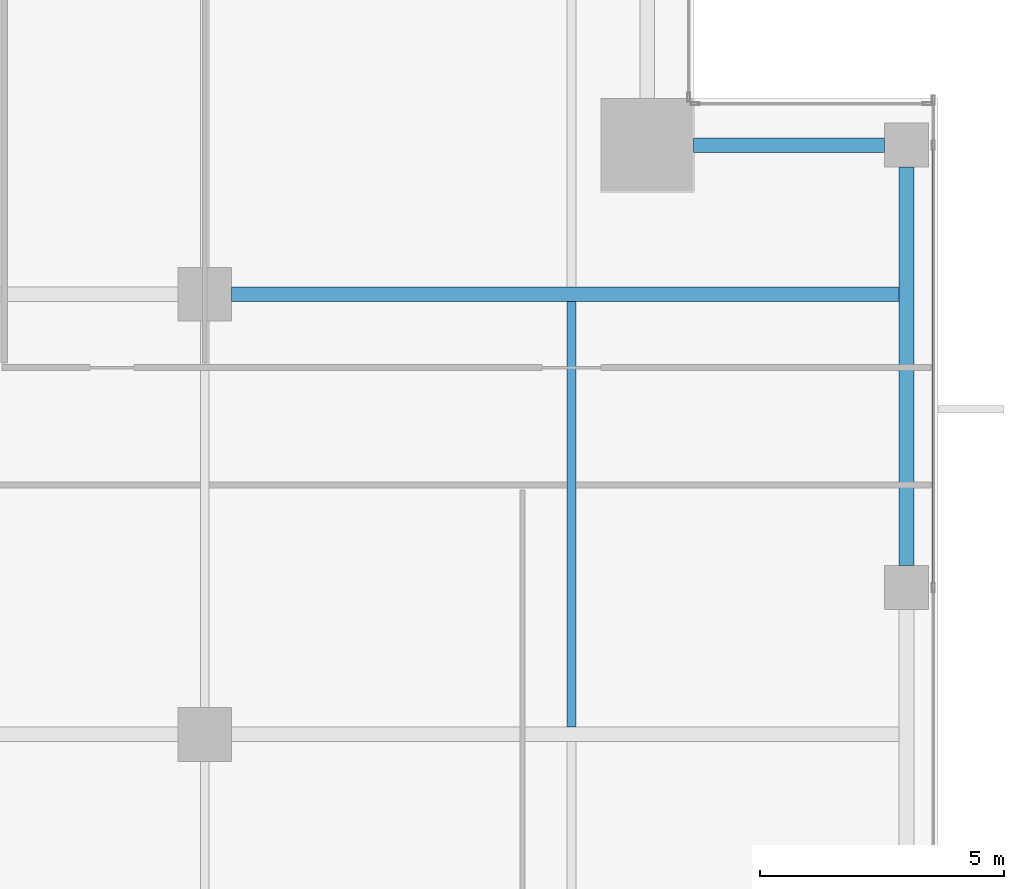
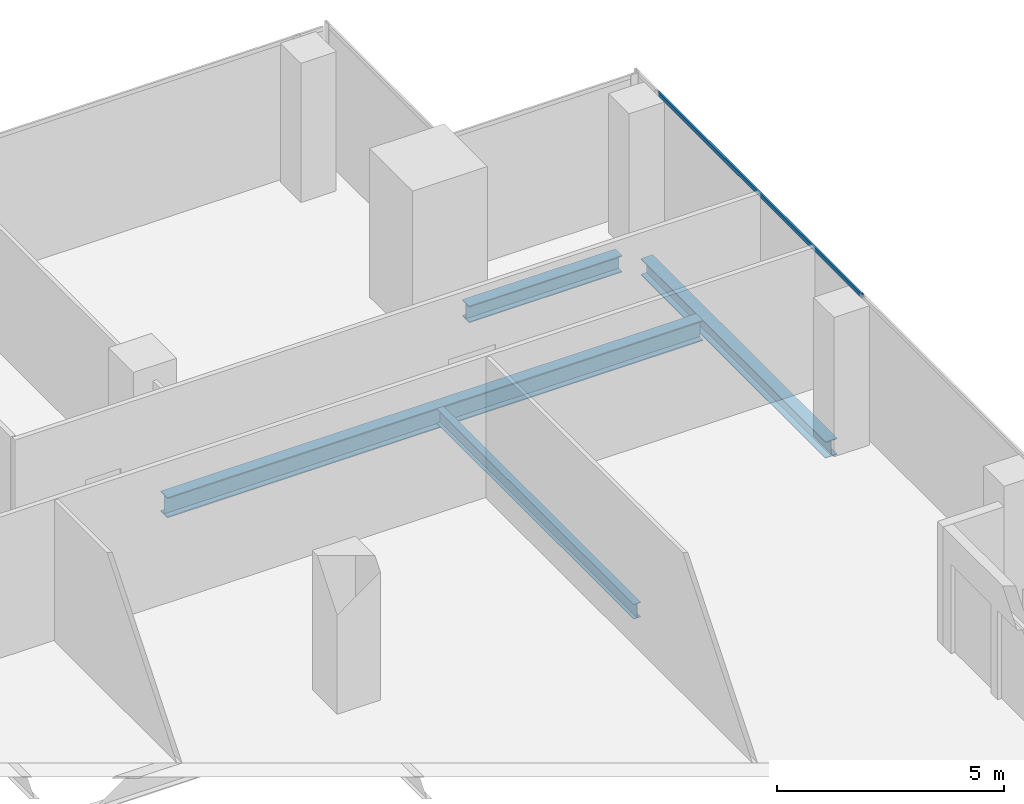
# One storey, part 22 of 36: 4 beams, 1 member, 1 element without a shape of its own.
"""IFC4 building model written with IfcOpenShell, lengths in metres."""

from ifc_helpers import new_model, si_unit, direction, frame, origin, origin_2d, place, context, subcontext, project, spatial, hollow_rectangle, i_section, extrude, source, transform, mapped, material, material_profile, profile_set, type_object, element, aggregate, save


model = new_model("IFC4")

# Units and contexts
model_context = context("Model", 3, precision=1e-05, world=origin(), true_north=direction((0.0, 1.0)))
body_context = subcontext(model_context, "Body", "Model", "MODEL_VIEW")
ifc_project = project(units=[si_unit("LENGTHUNIT", "METRE"), si_unit("AREAUNIT", "SQUARE_METRE"), si_unit("VOLUMEUNIT", "CUBIC_METRE"), si_unit("PLANEANGLEUNIT", "RADIAN"), si_unit("MASSUNIT", "GRAM", prefix="KILO")], contexts=[model_context])

# Site, building, storey
site_placement = place(None, origin())
site = spatial("IfcSite", under=ifc_project, at=site_placement, CompositionType="ELEMENT")
building_placement = place(site_placement, origin())
building = spatial("IfcBuilding", under=site, at=building_placement, Name="Khomas Fold Tower", CompositionType="ELEMENT")
storey_placement = place(building_placement, frame((0.0, 0.0, 230.199951171875)))
storey = spatial("IfcBuildingStorey", under=building, at=storey_placement, Name="L51", CompositionType="ELEMENT", Elevation=230.199951171875)

# Beams
ifc_material_1 = material(Name="Steel S355", Category="steel")
ifc_material_profile_1 = material_profile(ifc_material_1, i_section(OverallWidth=0.179931640625, OverallDepth=0.39990234375, WebThickness=0.008544921875, FlangeThickness=0.013427734375, at=origin_2d()), Name="IPE 400")
ifc_profile_set_1 = profile_set([ifc_material_profile_1], Name="Steel S355")
beam_type_1 = type_object("IfcBeamType", Name="IPE 400 beam JB3", PredefinedType="BEAM", material=ifc_profile_set_1)
shared_shape_1 = source(origin(), body_context, "Body", "SweptSolid", [
    extrude(i_section(OverallWidth=0.179931640625, OverallDepth=0.39990234375, WebThickness=0.008544921875, FlangeThickness=0.013427734375, at=origin_2d()), origin(), (0.0, 0.0, 1.0), 8.7001953125),
])
beam_1_placement = place(storey_placement, frame((42.0, 31.64990234375, -0.449951171875), z_axis=(0.0, 1.0, 0.0), x_axis=(-1.0, 0.0, 0.0)))
element("IfcBeam", 1, at=beam_1_placement, inside=storey, type_object=beam_type_1, Name="JB3", PredefinedType="BEAM", context=body_context, shape_type="MappedRepresentation", body=[
    mapped(shared_shape_1, transform((0.0, 0.0, 0.0))),
])
ifc_material_2 = material(Name="Steel S355", Category="steel")
ifc_material_profile_2 = material_profile(ifc_material_2, i_section(OverallWidth=0.300048828125, OverallDepth=0.449951171875, WebThickness=0.013916015625, FlangeThickness=0.02587890625, at=origin_2d()), Name="HE 450 B")
ifc_profile_set_2 = profile_set([ifc_material_profile_2], Name="Steel S355")
beam_type_2 = type_object("IfcBeamType", Name="HE 450 B spandrel SB4", PredefinedType="SPANDREL", material=ifc_profile_set_2)
shared_shape_2 = source(origin(), body_context, "Body", "SweptSolid", [
    extrude(i_section(OverallWidth=0.300048828125, OverallDepth=0.449951171875, WebThickness=0.013916015625, FlangeThickness=0.02587890625, at=origin_2d()), origin(), (0.0, 0.0, 1.0), 8.150146484375),
])
beam_2_placement = place(storey_placement, frame((48.85009765625, 34.949951171875, -0.474853515625), z_axis=(0.0, 1.0, 0.0), x_axis=(-1.0, 0.0, 0.0)))
element("IfcBeam", 2, at=beam_2_placement, inside=storey, type_object=beam_type_2, Name="SB4", PredefinedType="SPANDREL", context=body_context, shape_type="MappedRepresentation", body=[
    mapped(shared_shape_2, transform((0.0, 0.0, 0.0))),
])
shared_shape_3 = source(origin(), body_context, "Body", "SweptSolid", [
    extrude(i_section(OverallWidth=0.300048828125, OverallDepth=0.449951171875, WebThickness=0.013916015625, FlangeThickness=0.02587890625, at=origin_2d()), origin(), (0.0, 0.0, 1.0), 3.89990234375),
])
beam_3_placement = place(storey_placement, frame((44.5, 43.550048828125, -0.474853515625), z_axis=(1.0, 0.0, 0.0), x_axis=(0.0, 1.0, 0.0)))
element("IfcBeam", 3, at=beam_3_placement, inside=storey, type_object=beam_type_2, Name="SB4", PredefinedType="SPANDREL", context=body_context, shape_type="MappedRepresentation", body=[
    mapped(shared_shape_3, transform((0.0, 0.0, 0.0))),
])
ifc_material_3 = material(Name="Steel S355", Category="steel")
ifc_material_profile_3 = material_profile(ifc_material_3, i_section(OverallWidth=0.300048828125, OverallDepth=0.550048828125, WebThickness=0.014892578125, FlangeThickness=0.029052734375, at=origin_2d()), Name="HE 550 B")
ifc_profile_set_3 = profile_set([ifc_material_profile_3], Name="Steel S355")
beam_type_3 = type_object("IfcBeamType", Name="HE 550 B beam GB4", PredefinedType="BEAM", material=ifc_profile_set_3)
shared_shape_4 = source(origin(), body_context, "Body", "SweptSolid", [
    extrude(i_section(OverallWidth=0.300048828125, OverallDepth=0.550048828125, WebThickness=0.014892578125, FlangeThickness=0.029052734375, at=origin_2d()), origin(), (0.0, 0.0, 1.0), 13.64990234375),
])
beam_4_placement = place(storey_placement, frame((35.050048828125, 40.5, -0.52490234375), z_axis=(1.0, 0.0, 0.0), x_axis=(0.0, 1.0, 0.0)))
element("IfcBeam", 4, at=beam_4_placement, inside=storey, type_object=beam_type_3, Name="GB4", PredefinedType="BEAM", context=body_context, shape_type="MappedRepresentation", body=[
    mapped(shared_shape_4, transform((0.0, 0.0, 0.0))),
])

# Curtain wall, member
ifc_material_4 = material(Name="Aluminium framed double glazing", Category="aluminium")
curtain_wall_type = type_object("IfcCurtainWallType", Name="SK-Unitised clear-glass wall, office floors CW2", PredefinedType="NOTDEFINED", material=ifc_material_4)
curtain_wall_placement = place(storey_placement, origin())
curtain_wall = element("IfcCurtainWall", 5, at=curtain_wall_placement, inside=storey, type_object=curtain_wall_type, Name="CW2 run L51 03-1", PredefinedType="NOTDEFINED")
ifc_material_5 = material(Name="Aluminium", Category="aluminium")
ifc_material_profile_4 = material_profile(ifc_material_5, hollow_rectangle(XDim=0.050048828125, YDim=0.110107421875, WallThickness=0.00390625, at=origin_2d()), Name="SK-Unitised clear-glass wall, office floors transom CW2-T")
ifc_profile_set_4 = profile_set([ifc_material_profile_4], Name="Aluminium")
member_type = type_object("IfcMemberType", Name="SK-Unitised clear-glass wall, office floors transom CW2-T", PredefinedType="USERDEFINED", material=ifc_profile_set_4)
shared_shape_5 = source(origin(), body_context, "Body", "SweptSolid", [
    extrude(hollow_rectangle(XDim=0.050048828125, YDim=0.110107421875, WallThickness=0.00390625, at=origin_2d()), origin(), (0.0, 0.0, 1.0), 8.989990234375),
])
member_placement = place(storey_placement, frame((49.39990234375, 34.530029296875, 3.695068359375), z_axis=(0.0, 1.0, 0.0), x_axis=(-1.0, 0.0, 0.0)))
member = element("IfcMember", 6, at=member_placement, type_object=member_type, Name="CW2 transom 3", ObjectType="TRANSOM", PredefinedType="USERDEFINED", context=body_context, shape_type="MappedRepresentation", body=[
    mapped(shared_shape_5, transform((0.0, 0.0, 0.0))),
])
aggregate(curtain_wall, [member])

save(model, "model.ifc")
